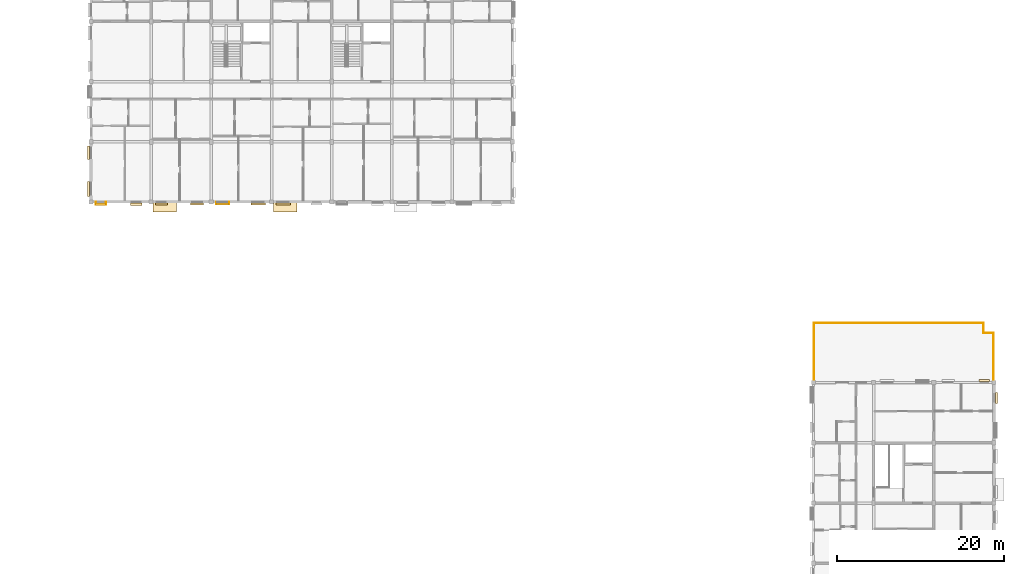
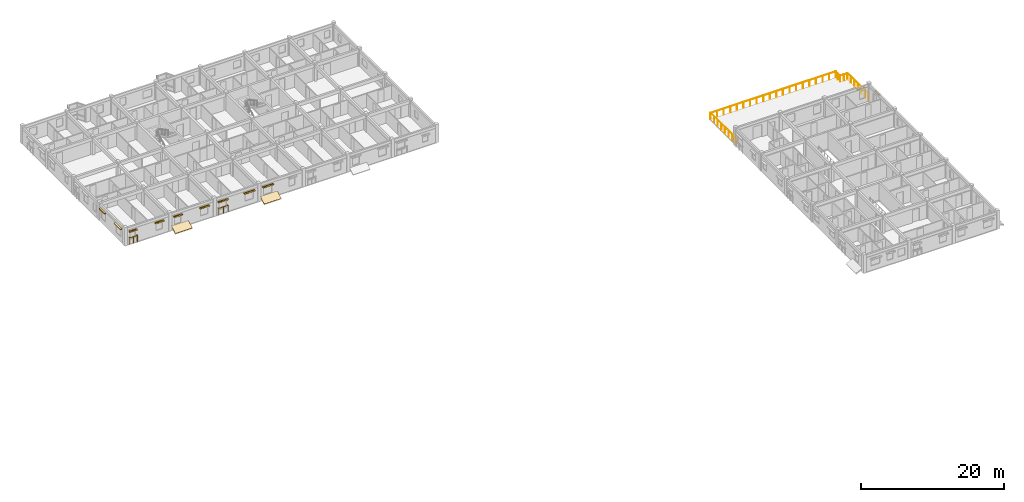
# One storey, part 35 of 38: 13 coverings, 3 railings.
"""IFC4 building model written with IfcOpenShell, lengths in metres."""

from ifc_helpers import new_model, si_unit, direction, frame, origin, origin_2d, place, context, subcontext, project, spatial, polyline, rectangle, circle, outline, extrude, material, layer, layer_set, type_object, element, save


model = new_model("IFC4")

# Units and contexts
model_context = context("Model", 3, precision=1e-05, world=origin(), true_north=direction((0.0, 1.0)))
body_context = subcontext(model_context, "Body", "Model", "MODEL_VIEW")
ifc_project = project(units=[si_unit("LENGTHUNIT", "METRE"), si_unit("AREAUNIT", "SQUARE_METRE"), si_unit("VOLUMEUNIT", "CUBIC_METRE"), si_unit("PLANEANGLEUNIT", "RADIAN"), si_unit("MASSUNIT", "GRAM", prefix="KILO"), si_unit("THERMODYNAMICTEMPERATUREUNIT", "KELVIN"), si_unit("POWERUNIT", "WATT")], contexts=[model_context])

# Site, building, storey
site_placement = place(None, origin())
site = spatial("IfcSite", under=ifc_project, at=site_placement, CompositionType="ELEMENT")
building_placement = place(site_placement, origin())
building = spatial("IfcBuilding", under=site, at=building_placement, Name="Tavuni Mirador Residences", CompositionType="ELEMENT")
storey_placement = place(building_placement, frame((0.0, 0.0, 32.85009765625)))
storey = spatial("IfcBuildingStorey", under=building, at=storey_placement, Name="L10", CompositionType="ELEMENT", Elevation=32.85009765625)

# Coverings
ifc_material_1 = material(Name="Natural coral limestone", Category="masonry")
ifc_layer_1 = layer(ifc_material_1, 0.054931640625, Name="Natural coral limestone", Category="masonry")
ifc_layer_set_1 = layer_set([ifc_layer_1], Name="Natural coral limestone")
covering_type_1 = type_object("IfcCoveringType", Name="CVT-CLAD-CORAL", PredefinedType="CLADDING", material=ifc_layer_set_1)
covering_1_placement = place(storey_placement, frame((11.949951171875, 143.73291015625, 2.1650390625), z_axis=(0.0, 0.0, 1.0), x_axis=(1.0, 0.0, 0.0)))
element("IfcCovering", 1, at=covering_1_placement, inside=storey, type_object=covering_type_1, Name="HOOD-0756", PredefinedType="CLADDING", context=body_context, shape_type="SweptSolid", body=[
    extrude(rectangle(XDim=1.239990234375, YDim=0.25, at=origin_2d()), origin(), (0.0, 0.0, 1.0), 0.14990234375),
])
for number, where, z_axis, x_axis, name in (
    (2, (16.22998046875, 143.73291015625, 2.1650390625), (0.0, 0.0, 1.0), (1.0, 0.0, 0.0), "HOOD-0757"),
    (3, (19.22998046875, 143.740478515625, 2.1650390625), (0.0, 0.0, 1.0), (1.0, 0.0, 0.0), "HOOD-0758"),
):
    element("IfcCovering", number, at=place(storey_placement, frame(where, z_axis=z_axis, x_axis=x_axis)), inside=storey, type_object=covering_type_1, Name=name, PredefinedType="CLADDING", context=body_context, shape_type="SweptSolid", body=[
        extrude(rectangle(XDim=1.39990234375, YDim=0.25, at=origin_2d()), origin(), (0.0, 0.0, 1.0), 0.14990234375),
    ])
for number, where, z_axis, x_axis, name in (
    (4, (23.510009765625, 143.740478515625, 2.1650390625), (0.0, 0.0, 1.0), (1.0, 0.0, 0.0), "HOOD-0759"),
    (5, (26.510009765625, 143.75048828125, 2.1650390625), (0.0, 0.0, 1.0), (1.0, 0.0, 0.0), "HOOD-0760"),
):
    element("IfcCovering", number, at=place(storey_placement, frame(where, z_axis=z_axis, x_axis=x_axis)), inside=storey, type_object=covering_type_1, Name=name, PredefinedType="CLADDING", context=body_context, shape_type="SweptSolid", body=[
        extrude(rectangle(XDim=1.56005859375, YDim=0.25, at=origin_2d()), origin(), (0.0, 0.0, 1.0), 0.14990234375),
    ])
for number, where, z_axis, x_axis, name in (
    (6, (30.7900390625, 143.75048828125, 2.1650390625), (0.0, 0.0, 1.0), (1.0, 0.0, 0.0), "HOOD-0761"),
    (7, (33.7900390625, 143.755615234375, 2.1650390625), (0.0, 0.0, 1.0), (1.0, 0.0, 0.0), "HOOD-0762"),
):
    element("IfcCovering", number, at=place(storey_placement, frame(where, z_axis=z_axis, x_axis=x_axis)), inside=storey, type_object=covering_type_1, Name=name, PredefinedType="CLADDING", context=body_context, shape_type="SweptSolid", body=[
        extrude(rectangle(XDim=1.719970703125, YDim=0.25, at=origin_2d()), origin(), (0.0, 0.0, 1.0), 0.14990234375),
    ])
covering_2_placement = place(storey_placement, frame((10.532958984375, 149.875, 2.244873046875), z_axis=(0.0, 0.0, 1.0), x_axis=(0.0, -1.0, 0.0)))
element("IfcCovering", 8, at=covering_2_placement, inside=storey, type_object=covering_type_1, Name="HOOD-0796", PredefinedType="CLADDING", context=body_context, shape_type="SweptSolid", body=[
    extrude(rectangle(XDim=1.590087890625, YDim=0.25, at=origin_2d()), origin(), (0.0, 0.0, 1.0), 0.14990234375),
])
covering_3_placement = place(storey_placement, frame((10.532958984375, 145.574951171875, 2.244873046875), z_axis=(0.0, 0.0, 1.0), x_axis=(0.0, -1.0, 0.0)))
element("IfcCovering", 9, at=covering_3_placement, inside=storey, type_object=covering_type_1, Name="HOOD-0797", PredefinedType="CLADDING", context=body_context, shape_type="SweptSolid", body=[
    extrude(rectangle(XDim=1.7900390625, YDim=0.25, at=origin_2d()), origin(), (0.0, 0.0, 1.0), 0.14990234375),
])
for number, where, z_axis, x_axis, name in (
    (10, (119.094482421875, 120.570068359375, 2.244873046875), (0.0, 0.0, 1.0), (0.0, 1.0, 0.0), "HOOD-1097"),
    (11, (117.6298828125, 122.6494140625, 2.244873046875), (0.0, 0.0, 1.0), (-1.0, 0.0, 0.0), "HOOD-1099"),
):
    element("IfcCovering", number, at=place(storey_placement, frame(where, z_axis=z_axis, x_axis=x_axis)), inside=storey, type_object=covering_type_1, Name=name, PredefinedType="CLADDING", context=body_context, shape_type="SweptSolid", body=[
        extrude(rectangle(XDim=1.280029296875, YDim=0.25, at=origin_2d()), origin(), (0.0, 0.0, 1.0), 0.14990234375),
    ])
ifc_material_2 = material(Name="Glazed ceramic roof tile", Category="masonry")
ifc_layer_2 = layer(ifc_material_2, 0.044921875, Name="Glazed ceramic roof tile", Category="masonry")
ifc_layer_set_2 = layer_set([ifc_layer_2], Name="Glazed ceramic roof tile")
covering_type_2 = type_object("IfcCoveringType", Name="CVT-ROOF-TILE", PredefinedType="ROOFING", material=ifc_layer_set_2)
for number, where, z_axis, x_axis, name in (
    (12, (18.25, 144.0, 0.664794921875), (0.0, -0.458960601939, 0.888456620138), (1.0, 0.0, 0.0), "COV-RF-MIR-C-S1"),
    (13, (32.64990234375, 144.0, 0.664794921875), (0.0, -0.458960601939, 0.888456620138), (1.0, 0.0, 0.0), "COV-RF-MIR-C-S2"),
):
    element("IfcCovering", number, at=place(storey_placement, frame(where, z_axis=z_axis, x_axis=x_axis)), inside=storey, type_object=covering_type_2, Name=name, PredefinedType="ROOFING", context=body_context, shape_type="SweptSolid", body=[
        extrude(outline(polyline([(0.0, 0.0), (2.77001953125, 0.0), (2.77001953125, -1.3506018692147148), (0.0, -1.3506018692147148), (0.0, 0.0)])), origin(), (0.0, 0.0, -1.0), 0.044921875),
    ])

# Railings
ifc_material_3 = material(Name="Structural steel S355", Category="steel")
railing_type_1 = type_object("IfcRailingType", Name="RT-BL1150", PredefinedType="BALUSTRADE", material=ifc_material_3)
railing_1_placement = place(storey_placement, frame((11.39990234375, 144.0, 0.039794921875)))
element("IfcRailing", 14, at=railing_1_placement, inside=storey, type_object=railing_type_1, Name="BALC-BLK-C-L10-S00", PredefinedType="BALUSTRADE", context=body_context, shape_type="SweptSolid", body=[
    extrude(circle(Radius=0.02392578125, at=origin_2d()), frame((0.0, 0.0, 1.1259765625), z_axis=(0.0, -1.0, 0.0), x_axis=(1.0, 0.0, 0.0)), (0.0, 0.0, 1.0), 0.284912109375),
    extrude(circle(Radius=0.02392578125, at=origin_2d()), frame((0.0, -0.284912109375, 1.1259765625), z_axis=(1.0, 0.0, 0.0), x_axis=(0.0, 1.0, 0.0)), (0.0, 0.0, 1.0), 1.22021484375),
    extrude(circle(Radius=0.02392578125, at=origin_2d()), frame((1.22021484375, -0.284912109375, 1.1259765625), z_axis=(0.0, 1.0, 0.0), x_axis=(-1.0, 0.0, 0.0)), (0.0, 0.0, 1.0), 0.284912109375),
    extrude(circle(Radius=0.02099609375, at=origin_2d()), origin(), (0.0, 0.0, 1.0), 1.101806640625),
    extrude(circle(Radius=0.02099609375, at=origin_2d()), frame((0.0, -0.284912109375, 0.0)), (0.0, 0.0, 1.0), 1.101806640625),
    extrude(circle(Radius=0.02099609375, at=origin_2d()), frame((0.610107421875, -0.284912109375, 0.0)), (0.0, 0.0, 1.0), 1.101806640625),
    extrude(circle(Radius=0.02099609375, at=origin_2d()), frame((1.22021484375, -0.284912109375, 0.0)), (0.0, 0.0, 1.0), 1.101806640625),
    extrude(circle(Radius=0.02099609375, at=origin_2d()), frame((1.22021484375, 0.0, 0.0)), (0.0, 0.0, 1.0), 1.101806640625),
])
railing_2_placement = place(storey_placement, frame((25.800048828125, 144.0, 0.039794921875)))
element("IfcRailing", 15, at=railing_2_placement, inside=storey, type_object=railing_type_1, Name="BALC-BLK-C-L10-S02", PredefinedType="BALUSTRADE", context=body_context, shape_type="SweptSolid", body=[
    extrude(circle(Radius=0.02392578125, at=origin_2d()), frame((0.0, 0.0, 1.1259765625), z_axis=(0.0, -1.0, 0.0), x_axis=(1.0, 0.0, 0.0)), (0.0, 0.0, 1.0), 0.267578125),
    extrude(circle(Radius=0.02392578125, at=origin_2d()), frame((0.0, -0.267578125, 1.1259765625), z_axis=(1.0, 0.0, 0.0), x_axis=(0.0, 1.0, 0.0)), (0.0, 0.0, 1.0), 1.5400390625),
    extrude(circle(Radius=0.02392578125, at=origin_2d()), frame((1.5400390625, -0.267578125, 1.1259765625), z_axis=(0.0, 1.0, 0.0), x_axis=(-1.0, 0.0, 0.0)), (0.0, 0.0, 1.0), 0.267578125),
    extrude(circle(Radius=0.02099609375, at=origin_2d()), origin(), (0.0, 0.0, 1.0), 1.101806640625),
    extrude(circle(Radius=0.02099609375, at=origin_2d()), frame((0.0, -0.267578125, 0.0)), (0.0, 0.0, 1.0), 1.101806640625),
    extrude(circle(Radius=0.02099609375, at=origin_2d()), frame((0.77001953125, -0.267578125, 0.0)), (0.0, 0.0, 1.0), 1.101806640625),
    extrude(circle(Radius=0.02099609375, at=origin_2d()), frame((1.5400390625, -0.267578125, 0.0)), (0.0, 0.0, 1.0), 1.101806640625),
    extrude(circle(Radius=0.02099609375, at=origin_2d()), frame((1.5400390625, 0.0, 0.0)), (0.0, 0.0, 1.0), 1.101806640625),
])
railing_type_2 = type_object("IfcRailingType", Name="RT-GR1120", PredefinedType="GUARDRAIL", material=ifc_material_3)
railing_3_placement = place(storey_placement, frame((118.739990234375, 122.4599609375, 0.0)))
element("IfcRailing", 16, at=railing_3_placement, inside=storey, type_object=railing_type_2, Name="Terrace guard TER-D-L10", PredefinedType="GUARDRAIL", context=body_context, shape_type="SweptSolid", body=[
    extrude(circle(Radius=0.02392578125, at=origin_2d()), frame((0.0, 0.0, 1.09619140625), z_axis=(0.0, 1.0, 0.0), x_axis=(-1.0, 0.0, 0.0)), (0.0, 0.0, 1.0), 5.880126953125),
    extrude(circle(Radius=0.02392578125, at=origin_2d()), frame((0.0, 5.880126953125, 1.09619140625), z_axis=(-1.0, 0.0, 0.0), x_axis=(0.0, -1.0, 0.0)), (0.0, 0.0, 1.0), 1.199951171875),
    extrude(circle(Radius=0.02392578125, at=origin_2d()), frame((-1.199951171875, 5.880126953125, 1.09619140625), z_axis=(0.0, 1.0, 0.0), x_axis=(-1.0, 0.0, 0.0)), (0.0, 0.0, 1.0), 1.199951171875),
    extrude(circle(Radius=0.02392578125, at=origin_2d()), frame((-1.199951171875, 7.080078125, 1.09619140625), z_axis=(-1.0, 0.0, 0.0), x_axis=(0.0, -1.0, 0.0)), (0.0, 0.0, 1.0), 20.280029296875),
    extrude(circle(Radius=0.02392578125, at=origin_2d()), frame((-21.47998046875, 7.080078125, 1.09619140625), z_axis=(0.0, -1.0, 0.0), x_axis=(1.0, 0.0, 0.0)), (0.0, 0.0, 1.0), 7.080078125),
    extrude(circle(Radius=0.02099609375, at=origin_2d()), origin(), (0.0, 0.0, 1.0), 1.072021484375),
    extrude(circle(Radius=0.02099609375, at=origin_2d()), frame((0.0, 0.97998046875, 0.0)), (0.0, 0.0, 1.0), 1.072021484375),
    extrude(circle(Radius=0.02099609375, at=origin_2d()), frame((0.0, 1.9599609375, 0.0)), (0.0, 0.0, 1.0), 1.072021484375),
    extrude(circle(Radius=0.02099609375, at=origin_2d()), frame((0.0, 2.93994140625, 0.0)), (0.0, 0.0, 1.0), 1.072021484375),
    extrude(circle(Radius=0.02099609375, at=origin_2d()), frame((0.0, 3.920166015625, 0.0)), (0.0, 0.0, 1.0), 1.072021484375),
    extrude(circle(Radius=0.02099609375, at=origin_2d()), frame((0.0, 4.900146484375, 0.0)), (0.0, 0.0, 1.0), 1.072021484375),
    extrude(circle(Radius=0.02099609375, at=origin_2d()), frame((0.0, 5.880126953125, 0.0)), (0.0, 0.0, 1.0), 1.072021484375),
    extrude(circle(Radius=0.02099609375, at=origin_2d()), frame((-0.60009765625, 5.880126953125, 0.0)), (0.0, 0.0, 1.0), 1.072021484375),
    extrude(circle(Radius=0.02099609375, at=origin_2d()), frame((-1.199951171875, 5.880126953125, 0.0)), (0.0, 0.0, 1.0), 1.072021484375),
    extrude(circle(Radius=0.02099609375, at=origin_2d()), frame((-1.199951171875, 6.47998046875, 0.0)), (0.0, 0.0, 1.0), 1.072021484375),
    extrude(circle(Radius=0.02099609375, at=origin_2d()), frame((-1.199951171875, 7.080078125, 0.0)), (0.0, 0.0, 1.0), 1.072021484375),
    extrude(circle(Radius=0.02099609375, at=origin_2d()), frame((-2.267333984375, 7.080078125, 0.0)), (0.0, 0.0, 1.0), 1.072021484375),
    extrude(circle(Radius=0.02099609375, at=origin_2d()), frame((-3.334716796875, 7.080078125, 0.0)), (0.0, 0.0, 1.0), 1.072021484375),
    extrude(circle(Radius=0.02099609375, at=origin_2d()), frame((-4.402099609375, 7.080078125, 0.0)), (0.0, 0.0, 1.0), 1.072021484375),
    extrude(circle(Radius=0.02099609375, at=origin_2d()), frame((-5.469482421875, 7.080078125, 0.0)), (0.0, 0.0, 1.0), 1.072021484375),
    extrude(circle(Radius=0.02099609375, at=origin_2d()), frame((-6.536865234375, 7.080078125, 0.0)), (0.0, 0.0, 1.0), 1.072021484375),
    extrude(circle(Radius=0.02099609375, at=origin_2d()), frame((-7.604248046875, 7.080078125, 0.0)), (0.0, 0.0, 1.0), 1.072021484375),
    extrude(circle(Radius=0.02099609375, at=origin_2d()), frame((-8.671630859375, 7.080078125, 0.0)), (0.0, 0.0, 1.0), 1.072021484375),
    extrude(circle(Radius=0.02099609375, at=origin_2d()), frame((-9.739013671875, 7.080078125, 0.0)), (0.0, 0.0, 1.0), 1.072021484375),
    extrude(circle(Radius=0.02099609375, at=origin_2d()), frame((-10.806396484375, 7.080078125, 0.0)), (0.0, 0.0, 1.0), 1.072021484375),
    extrude(circle(Radius=0.02099609375, at=origin_2d()), frame((-11.87353515625, 7.080078125, 0.0)), (0.0, 0.0, 1.0), 1.072021484375),
    extrude(circle(Radius=0.02099609375, at=origin_2d()), frame((-12.94091796875, 7.080078125, 0.0)), (0.0, 0.0, 1.0), 1.072021484375),
    extrude(circle(Radius=0.02099609375, at=origin_2d()), frame((-14.00830078125, 7.080078125, 0.0)), (0.0, 0.0, 1.0), 1.072021484375),
    extrude(circle(Radius=0.02099609375, at=origin_2d()), frame((-15.07568359375, 7.080078125, 0.0)), (0.0, 0.0, 1.0), 1.072021484375),
    extrude(circle(Radius=0.02099609375, at=origin_2d()), frame((-16.14306640625, 7.080078125, 0.0)), (0.0, 0.0, 1.0), 1.072021484375),
    extrude(circle(Radius=0.02099609375, at=origin_2d()), frame((-17.21044921875, 7.080078125, 0.0)), (0.0, 0.0, 1.0), 1.072021484375),
    extrude(circle(Radius=0.02099609375, at=origin_2d()), frame((-18.27783203125, 7.080078125, 0.0)), (0.0, 0.0, 1.0), 1.072021484375),
    extrude(circle(Radius=0.02099609375, at=origin_2d()), frame((-19.34521484375, 7.080078125, 0.0)), (0.0, 0.0, 1.0), 1.072021484375),
    extrude(circle(Radius=0.02099609375, at=origin_2d()), frame((-20.41259765625, 7.080078125, 0.0)), (0.0, 0.0, 1.0), 1.072021484375),
    extrude(circle(Radius=0.02099609375, at=origin_2d()), frame((-21.47998046875, 7.080078125, 0.0)), (0.0, 0.0, 1.0), 1.072021484375),
    extrude(circle(Radius=0.02099609375, at=origin_2d()), frame((-21.47998046875, 6.068603515625, 0.0)), (0.0, 0.0, 1.0), 1.072021484375),
    extrude(circle(Radius=0.02099609375, at=origin_2d()), frame((-21.47998046875, 5.05712890625, 0.0)), (0.0, 0.0, 1.0), 1.072021484375),
    extrude(circle(Radius=0.02099609375, at=origin_2d()), frame((-21.47998046875, 4.045654296875, 0.0)), (0.0, 0.0, 1.0), 1.072021484375),
    extrude(circle(Radius=0.02099609375, at=origin_2d()), frame((-21.47998046875, 3.034423828125, 0.0)), (0.0, 0.0, 1.0), 1.072021484375),
    extrude(circle(Radius=0.02099609375, at=origin_2d()), frame((-21.47998046875, 2.02294921875, 0.0)), (0.0, 0.0, 1.0), 1.072021484375),
    extrude(circle(Radius=0.02099609375, at=origin_2d()), frame((-21.47998046875, 1.011474609375, 0.0)), (0.0, 0.0, 1.0), 1.072021484375),
    extrude(circle(Radius=0.02099609375, at=origin_2d()), frame((-21.47998046875, 0.0, 0.0)), (0.0, 0.0, 1.0), 1.072021484375),
])

save(model, "model.ifc")
